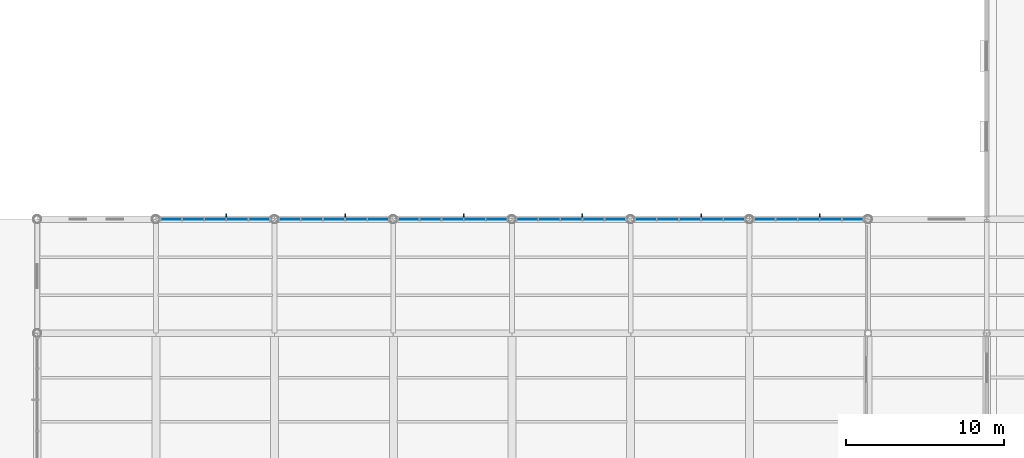
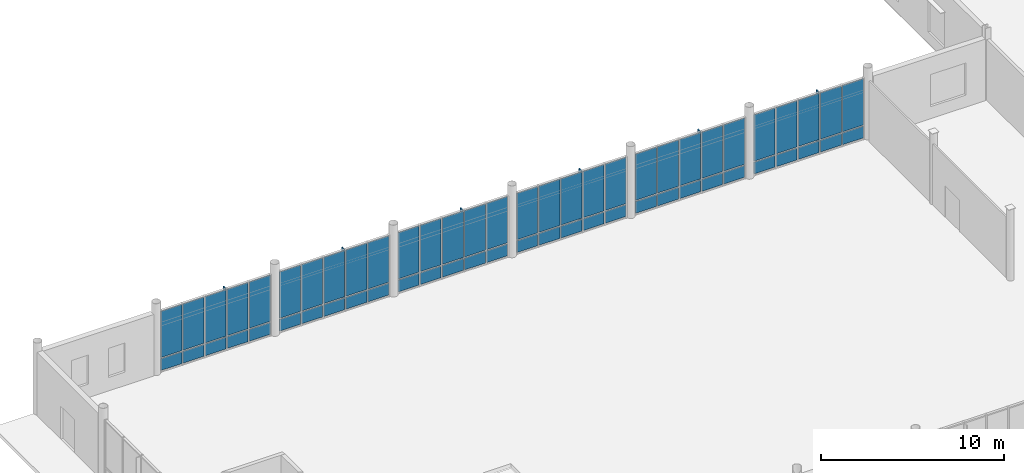
# One storey, part 40 of 82: 66 plates, 6 elements without a shape of their own.
"""IFC4 building model written with IfcOpenShell, lengths in metres."""

from ifc_helpers import new_model, si_unit, direction, frame, origin, origin_2d, place, context, subcontext, project, spatial, rectangle, extrude, material, layer, layer_set, type_object, element, aggregate, save


model = new_model("IFC4")

# Units and contexts
model_context = context("Model", 3, precision=1e-05, world=origin(), true_north=direction((0.0, 1.0)))
body_context = subcontext(model_context, "Body", "Model", "MODEL_VIEW")
ifc_project = project(units=[si_unit("LENGTHUNIT", "METRE"), si_unit("AREAUNIT", "SQUARE_METRE"), si_unit("VOLUMEUNIT", "CUBIC_METRE"), si_unit("PLANEANGLEUNIT", "RADIAN"), si_unit("MASSUNIT", "GRAM", prefix="KILO")], contexts=[model_context])

# Site, building, storey
site_placement = place(None, origin())
site = spatial("IfcSite", under=ifc_project, at=site_placement, CompositionType="ELEMENT")
building_placement = place(site_placement, origin())
building = spatial("IfcBuilding", under=site, at=building_placement, Name="Yukiwa Park Conservatory and Herbarium", CompositionType="ELEMENT")
storey_placement = place(building_placement, origin())
storey = spatial("IfcBuildingStorey", under=building, at=storey_placement, Name="L00", CompositionType="ELEMENT", Elevation=0.0)

# Curtain wall, plates
ifc_material_1 = material(Name="Triple Low-E Insulated Glass", Category="glass")
ifc_layer_1 = layer(ifc_material_1, 0.152099609375)
ifc_layer_set_1 = layer_set([ifc_layer_1], Name="Triple Low-E Insulated Glass")
curtain_wall_type = type_object("IfcCurtainWallType", Name="CW-CONSERVATORY-1500", PredefinedType="NOTDEFINED", material=ifc_layer_set_1)
curtain_wall_1_placement = place(storey_placement, origin())
curtain_wall_1 = element("IfcCurtainWall", 1, at=curtain_wall_1_placement, inside=storey, type_object=curtain_wall_type, Name="L00 unitised curtain wall CW-L00-018", PredefinedType="NOTDEFINED")
ifc_material_2 = material(Name="Triple Low-E Insulated Glass", Category="glass")
ifc_layer_2 = layer(ifc_material_2, 0.035888671875)
ifc_layer_set_2 = layer_set([ifc_layer_2], Name="Triple Low-E Insulated Glass")
plate_type_1 = type_object("IfcPlateType", Name="PL-CW-GLZ-36", PredefinedType="CURTAIN_PANEL", material=ifc_layer_set_2)
plate_1_placement = place(storey_placement, frame((51.546875, 31.199951171875, 0.93994140625), z_axis=(0.0, 0.0, 1.0), x_axis=(-1.0, 0.0, 0.0)))
plate_1 = element("IfcPlate", 2, at=plate_1_placement, type_object=plate_type_1, Name="CW-L00-018 vision panel 1.2", PredefinedType="CURTAIN_PANEL", context=body_context, shape_type="SweptSolid", body=[
    extrude(rectangle(XDim=1.318359375, YDim=0.035888671875, at=origin_2d()), origin(), (0.0, 0.0, 1.0), 3.090087890625),
])
plate_2_placement = place(storey_placement, frame((50.1484375, 31.199951171875, 0.93994140625), z_axis=(0.0, 0.0, 1.0), x_axis=(-1.0, 0.0, 0.0)))
plate_2 = element("IfcPlate", 3, at=plate_2_placement, type_object=plate_type_1, Name="CW-L00-018 vision panel 2.2", PredefinedType="CURTAIN_PANEL", context=body_context, shape_type="SweptSolid", body=[
    extrude(rectangle(XDim=1.318359375, YDim=0.035888671875, at=origin_2d()), origin(), (0.0, 0.0, 1.0), 3.090087890625),
])
plate_3_placement = place(storey_placement, frame((48.75, 31.199951171875, 0.93994140625), z_axis=(0.0, 0.0, 1.0), x_axis=(-1.0, 0.0, 0.0)))
plate_3 = element("IfcPlate", 4, at=plate_3_placement, type_object=plate_type_1, Name="CW-L00-018 vision panel 3.2", PredefinedType="CURTAIN_PANEL", context=body_context, shape_type="SweptSolid", body=[
    extrude(rectangle(XDim=1.318359375, YDim=0.035888671875, at=origin_2d()), origin(), (0.0, 0.0, 1.0), 3.090087890625),
])
plate_4_placement = place(storey_placement, frame((47.3515625, 31.199951171875, 0.93994140625), z_axis=(0.0, 0.0, 1.0), x_axis=(-1.0, 0.0, 0.0)))
plate_4 = element("IfcPlate", 5, at=plate_4_placement, type_object=plate_type_1, Name="CW-L00-018 vision panel 4.2", PredefinedType="CURTAIN_PANEL", context=body_context, shape_type="SweptSolid", body=[
    extrude(rectangle(XDim=1.318359375, YDim=0.035888671875, at=origin_2d()), origin(), (0.0, 0.0, 1.0), 3.090087890625),
])
plate_5_placement = place(storey_placement, frame((45.953125, 31.199951171875, 0.93994140625), z_axis=(0.0, 0.0, 1.0), x_axis=(-1.0, 0.0, 0.0)))
plate_5 = element("IfcPlate", 6, at=plate_5_placement, type_object=plate_type_1, Name="CW-L00-018 vision panel 5.2", PredefinedType="CURTAIN_PANEL", context=body_context, shape_type="SweptSolid", body=[
    extrude(rectangle(XDim=1.318359375, YDim=0.035888671875, at=origin_2d()), origin(), (0.0, 0.0, 1.0), 3.090087890625),
])

curtain_wall_2_placement = place(storey_placement, origin())
curtain_wall_2 = element("IfcCurtainWall", 7, at=curtain_wall_2_placement, inside=storey, type_object=curtain_wall_type, Name="L00 unitised curtain wall CW-L00-019", PredefinedType="NOTDEFINED")
plate_6_placement = place(storey_placement, frame((44.046875, 31.199951171875, 0.93994140625), z_axis=(0.0, 0.0, 1.0), x_axis=(-1.0, 0.0, 0.0)))
plate_6 = element("IfcPlate", 8, at=plate_6_placement, type_object=plate_type_1, Name="CW-L00-019 vision panel 1.2", PredefinedType="CURTAIN_PANEL", context=body_context, shape_type="SweptSolid", body=[
    extrude(rectangle(XDim=1.318359375, YDim=0.035888671875, at=origin_2d()), origin(), (0.0, 0.0, 1.0), 3.090087890625),
])
plate_7_placement = place(storey_placement, frame((42.6484375, 31.199951171875, 0.93994140625), z_axis=(0.0, 0.0, 1.0), x_axis=(-1.0, 0.0, 0.0)))
plate_7 = element("IfcPlate", 9, at=plate_7_placement, type_object=plate_type_1, Name="CW-L00-019 vision panel 2.2", PredefinedType="CURTAIN_PANEL", context=body_context, shape_type="SweptSolid", body=[
    extrude(rectangle(XDim=1.318359375, YDim=0.035888671875, at=origin_2d()), origin(), (0.0, 0.0, 1.0), 3.090087890625),
])
plate_8_placement = place(storey_placement, frame((41.25, 31.199951171875, 0.93994140625), z_axis=(0.0, 0.0, 1.0), x_axis=(-1.0, 0.0, 0.0)))
plate_8 = element("IfcPlate", 10, at=plate_8_placement, type_object=plate_type_1, Name="CW-L00-019 vision panel 3.2", PredefinedType="CURTAIN_PANEL", context=body_context, shape_type="SweptSolid", body=[
    extrude(rectangle(XDim=1.318359375, YDim=0.035888671875, at=origin_2d()), origin(), (0.0, 0.0, 1.0), 3.090087890625),
])
plate_9_placement = place(storey_placement, frame((39.8515625, 31.199951171875, 0.93994140625), z_axis=(0.0, 0.0, 1.0), x_axis=(-1.0, 0.0, 0.0)))
plate_9 = element("IfcPlate", 11, at=plate_9_placement, type_object=plate_type_1, Name="CW-L00-019 vision panel 4.2", PredefinedType="CURTAIN_PANEL", context=body_context, shape_type="SweptSolid", body=[
    extrude(rectangle(XDim=1.318359375, YDim=0.035888671875, at=origin_2d()), origin(), (0.0, 0.0, 1.0), 3.090087890625),
])
plate_10_placement = place(storey_placement, frame((38.453125, 31.199951171875, 0.93994140625), z_axis=(0.0, 0.0, 1.0), x_axis=(-1.0, 0.0, 0.0)))
plate_10 = element("IfcPlate", 12, at=plate_10_placement, type_object=plate_type_1, Name="CW-L00-019 vision panel 5.2", PredefinedType="CURTAIN_PANEL", context=body_context, shape_type="SweptSolid", body=[
    extrude(rectangle(XDim=1.318359375, YDim=0.035888671875, at=origin_2d()), origin(), (0.0, 0.0, 1.0), 3.090087890625),
])

curtain_wall_3_placement = place(storey_placement, origin())
curtain_wall_3 = element("IfcCurtainWall", 13, at=curtain_wall_3_placement, inside=storey, type_object=curtain_wall_type, Name="L00 unitised curtain wall CW-L00-020", PredefinedType="NOTDEFINED")
plate_11_placement = place(storey_placement, frame((36.546875, 31.199951171875, 0.93994140625), z_axis=(0.0, 0.0, 1.0), x_axis=(-1.0, 0.0, 0.0)))
plate_11 = element("IfcPlate", 14, at=plate_11_placement, type_object=plate_type_1, Name="CW-L00-020 vision panel 1.2", PredefinedType="CURTAIN_PANEL", context=body_context, shape_type="SweptSolid", body=[
    extrude(rectangle(XDim=1.318359375, YDim=0.035888671875, at=origin_2d()), origin(), (0.0, 0.0, 1.0), 3.090087890625),
])
plate_12_placement = place(storey_placement, frame((35.1484375, 31.199951171875, 0.93994140625), z_axis=(0.0, 0.0, 1.0), x_axis=(-1.0, 0.0, 0.0)))
plate_12 = element("IfcPlate", 15, at=plate_12_placement, type_object=plate_type_1, Name="CW-L00-020 vision panel 2.2", PredefinedType="CURTAIN_PANEL", context=body_context, shape_type="SweptSolid", body=[
    extrude(rectangle(XDim=1.318359375, YDim=0.035888671875, at=origin_2d()), origin(), (0.0, 0.0, 1.0), 3.090087890625),
])
plate_13_placement = place(storey_placement, frame((33.75, 31.199951171875, 0.93994140625), z_axis=(0.0, 0.0, 1.0), x_axis=(-1.0, 0.0, 0.0)))
plate_13 = element("IfcPlate", 16, at=plate_13_placement, type_object=plate_type_1, Name="CW-L00-020 vision panel 3.2", PredefinedType="CURTAIN_PANEL", context=body_context, shape_type="SweptSolid", body=[
    extrude(rectangle(XDim=1.318359375, YDim=0.035888671875, at=origin_2d()), origin(), (0.0, 0.0, 1.0), 3.090087890625),
])
plate_14_placement = place(storey_placement, frame((32.3515625, 31.199951171875, 0.93994140625), z_axis=(0.0, 0.0, 1.0), x_axis=(-1.0, 0.0, 0.0)))
plate_14 = element("IfcPlate", 17, at=plate_14_placement, type_object=plate_type_1, Name="CW-L00-020 vision panel 4.2", PredefinedType="CURTAIN_PANEL", context=body_context, shape_type="SweptSolid", body=[
    extrude(rectangle(XDim=1.318359375, YDim=0.035888671875, at=origin_2d()), origin(), (0.0, 0.0, 1.0), 3.090087890625),
])
plate_15_placement = place(storey_placement, frame((30.953125, 31.199951171875, 0.93994140625), z_axis=(0.0, 0.0, 1.0), x_axis=(-1.0, 0.0, 0.0)))
plate_15 = element("IfcPlate", 18, at=plate_15_placement, type_object=plate_type_1, Name="CW-L00-020 vision panel 5.2", PredefinedType="CURTAIN_PANEL", context=body_context, shape_type="SweptSolid", body=[
    extrude(rectangle(XDim=1.318359375, YDim=0.035888671875, at=origin_2d()), origin(), (0.0, 0.0, 1.0), 3.090087890625),
])

curtain_wall_4_placement = place(storey_placement, origin())
curtain_wall_4 = element("IfcCurtainWall", 19, at=curtain_wall_4_placement, inside=storey, type_object=curtain_wall_type, Name="L00 unitised curtain wall CW-L00-021", PredefinedType="NOTDEFINED")
plate_16_placement = place(storey_placement, frame((29.046875, 31.199951171875, 0.93994140625), z_axis=(0.0, 0.0, 1.0), x_axis=(-1.0, 0.0, 0.0)))
plate_16 = element("IfcPlate", 20, at=plate_16_placement, type_object=plate_type_1, Name="CW-L00-021 vision panel 1.2", PredefinedType="CURTAIN_PANEL", context=body_context, shape_type="SweptSolid", body=[
    extrude(rectangle(XDim=1.318359375, YDim=0.035888671875, at=origin_2d()), origin(), (0.0, 0.0, 1.0), 3.090087890625),
])
plate_17_placement = place(storey_placement, frame((27.6484375, 31.199951171875, 0.93994140625), z_axis=(0.0, 0.0, 1.0), x_axis=(-1.0, 0.0, 0.0)))
plate_17 = element("IfcPlate", 21, at=plate_17_placement, type_object=plate_type_1, Name="CW-L00-021 vision panel 2.2", PredefinedType="CURTAIN_PANEL", context=body_context, shape_type="SweptSolid", body=[
    extrude(rectangle(XDim=1.318359375, YDim=0.035888671875, at=origin_2d()), origin(), (0.0, 0.0, 1.0), 3.090087890625),
])
plate_18_placement = place(storey_placement, frame((26.25, 31.199951171875, 0.93994140625), z_axis=(0.0, 0.0, 1.0), x_axis=(-1.0, 0.0, 0.0)))
plate_18 = element("IfcPlate", 22, at=plate_18_placement, type_object=plate_type_1, Name="CW-L00-021 vision panel 3.2", PredefinedType="CURTAIN_PANEL", context=body_context, shape_type="SweptSolid", body=[
    extrude(rectangle(XDim=1.318359375, YDim=0.035888671875, at=origin_2d()), origin(), (0.0, 0.0, 1.0), 3.090087890625),
])
plate_19_placement = place(storey_placement, frame((24.8515625, 31.199951171875, 0.93994140625), z_axis=(0.0, 0.0, 1.0), x_axis=(-1.0, 0.0, 0.0)))
plate_19 = element("IfcPlate", 23, at=plate_19_placement, type_object=plate_type_1, Name="CW-L00-021 vision panel 4.2", PredefinedType="CURTAIN_PANEL", context=body_context, shape_type="SweptSolid", body=[
    extrude(rectangle(XDim=1.318359375, YDim=0.035888671875, at=origin_2d()), origin(), (0.0, 0.0, 1.0), 3.090087890625),
])
plate_20_placement = place(storey_placement, frame((23.453125, 31.199951171875, 0.93994140625), z_axis=(0.0, 0.0, 1.0), x_axis=(-1.0, 0.0, 0.0)))
plate_20 = element("IfcPlate", 24, at=plate_20_placement, type_object=plate_type_1, Name="CW-L00-021 vision panel 5.2", PredefinedType="CURTAIN_PANEL", context=body_context, shape_type="SweptSolid", body=[
    extrude(rectangle(XDim=1.318359375, YDim=0.035888671875, at=origin_2d()), origin(), (0.0, 0.0, 1.0), 3.090087890625),
])

curtain_wall_5_placement = place(storey_placement, origin())
curtain_wall_5 = element("IfcCurtainWall", 25, at=curtain_wall_5_placement, inside=storey, type_object=curtain_wall_type, Name="L00 unitised curtain wall CW-L00-022", PredefinedType="NOTDEFINED")
plate_21_placement = place(storey_placement, frame((21.546875, 31.199951171875, 0.93994140625), z_axis=(0.0, 0.0, 1.0), x_axis=(-1.0, 0.0, 0.0)))
plate_21 = element("IfcPlate", 26, at=plate_21_placement, type_object=plate_type_1, Name="CW-L00-022 vision panel 1.2", PredefinedType="CURTAIN_PANEL", context=body_context, shape_type="SweptSolid", body=[
    extrude(rectangle(XDim=1.318359375, YDim=0.035888671875, at=origin_2d()), origin(), (0.0, 0.0, 1.0), 3.090087890625),
])
plate_22_placement = place(storey_placement, frame((20.1484375, 31.199951171875, 0.93994140625), z_axis=(0.0, 0.0, 1.0), x_axis=(-1.0, 0.0, 0.0)))
plate_22 = element("IfcPlate", 27, at=plate_22_placement, type_object=plate_type_1, Name="CW-L00-022 vision panel 2.2", PredefinedType="CURTAIN_PANEL", context=body_context, shape_type="SweptSolid", body=[
    extrude(rectangle(XDim=1.318359375, YDim=0.035888671875, at=origin_2d()), origin(), (0.0, 0.0, 1.0), 3.090087890625),
])
plate_23_placement = place(storey_placement, frame((18.75, 31.199951171875, 0.93994140625), z_axis=(0.0, 0.0, 1.0), x_axis=(-1.0, 0.0, 0.0)))
plate_23 = element("IfcPlate", 28, at=plate_23_placement, type_object=plate_type_1, Name="CW-L00-022 vision panel 3.2", PredefinedType="CURTAIN_PANEL", context=body_context, shape_type="SweptSolid", body=[
    extrude(rectangle(XDim=1.318359375, YDim=0.035888671875, at=origin_2d()), origin(), (0.0, 0.0, 1.0), 3.090087890625),
])
plate_24_placement = place(storey_placement, frame((17.3515625, 31.199951171875, 0.93994140625), z_axis=(0.0, 0.0, 1.0), x_axis=(-1.0, 0.0, 0.0)))
plate_24 = element("IfcPlate", 29, at=plate_24_placement, type_object=plate_type_1, Name="CW-L00-022 vision panel 4.2", PredefinedType="CURTAIN_PANEL", context=body_context, shape_type="SweptSolid", body=[
    extrude(rectangle(XDim=1.318359375, YDim=0.035888671875, at=origin_2d()), origin(), (0.0, 0.0, 1.0), 3.090087890625),
])
plate_25_placement = place(storey_placement, frame((15.953125, 31.199951171875, 0.93994140625), z_axis=(0.0, 0.0, 1.0), x_axis=(-1.0, 0.0, 0.0)))
plate_25 = element("IfcPlate", 30, at=plate_25_placement, type_object=plate_type_1, Name="CW-L00-022 vision panel 5.2", PredefinedType="CURTAIN_PANEL", context=body_context, shape_type="SweptSolid", body=[
    extrude(rectangle(XDim=1.318359375, YDim=0.035888671875, at=origin_2d()), origin(), (0.0, 0.0, 1.0), 3.090087890625),
])

curtain_wall_6_placement = place(storey_placement, origin())
curtain_wall_6 = element("IfcCurtainWall", 31, at=curtain_wall_6_placement, inside=storey, type_object=curtain_wall_type, Name="L00 unitised curtain wall CW-L00-023", PredefinedType="NOTDEFINED")
plate_26_placement = place(storey_placement, frame((14.046875, 31.199951171875, 0.93994140625), z_axis=(0.0, 0.0, 1.0), x_axis=(-1.0, 0.0, 0.0)))
plate_26 = element("IfcPlate", 32, at=plate_26_placement, type_object=plate_type_1, Name="CW-L00-023 vision panel 1.2", PredefinedType="CURTAIN_PANEL", context=body_context, shape_type="SweptSolid", body=[
    extrude(rectangle(XDim=1.318359375, YDim=0.035888671875, at=origin_2d()), origin(), (0.0, 0.0, 1.0), 3.090087890625),
])
plate_27_placement = place(storey_placement, frame((12.6484375, 31.199951171875, 0.93994140625), z_axis=(0.0, 0.0, 1.0), x_axis=(-1.0, 0.0, 0.0)))
plate_27 = element("IfcPlate", 33, at=plate_27_placement, type_object=plate_type_1, Name="CW-L00-023 vision panel 2.2", PredefinedType="CURTAIN_PANEL", context=body_context, shape_type="SweptSolid", body=[
    extrude(rectangle(XDim=1.318359375, YDim=0.035888671875, at=origin_2d()), origin(), (0.0, 0.0, 1.0), 3.090087890625),
])
plate_28_placement = place(storey_placement, frame((11.25, 31.199951171875, 0.93994140625), z_axis=(0.0, 0.0, 1.0), x_axis=(-1.0, 0.0, 0.0)))
plate_28 = element("IfcPlate", 34, at=plate_28_placement, type_object=plate_type_1, Name="CW-L00-023 vision panel 3.2", PredefinedType="CURTAIN_PANEL", context=body_context, shape_type="SweptSolid", body=[
    extrude(rectangle(XDim=1.318359375, YDim=0.035888671875, at=origin_2d()), origin(), (0.0, 0.0, 1.0), 3.090087890625),
])
plate_29_placement = place(storey_placement, frame((9.8515625, 31.199951171875, 0.93994140625), z_axis=(0.0, 0.0, 1.0), x_axis=(-1.0, 0.0, 0.0)))
plate_29 = element("IfcPlate", 35, at=plate_29_placement, type_object=plate_type_1, Name="CW-L00-023 vision panel 4.2", PredefinedType="CURTAIN_PANEL", context=body_context, shape_type="SweptSolid", body=[
    extrude(rectangle(XDim=1.318359375, YDim=0.035888671875, at=origin_2d()), origin(), (0.0, 0.0, 1.0), 3.090087890625),
])
plate_30_placement = place(storey_placement, frame((8.453125, 31.199951171875, 0.93994140625), z_axis=(0.0, 0.0, 1.0), x_axis=(-1.0, 0.0, 0.0)))
plate_30 = element("IfcPlate", 36, at=plate_30_placement, type_object=plate_type_1, Name="CW-L00-023 vision panel 5.2", PredefinedType="CURTAIN_PANEL", context=body_context, shape_type="SweptSolid", body=[
    extrude(rectangle(XDim=1.318359375, YDim=0.035888671875, at=origin_2d()), origin(), (0.0, 0.0, 1.0), 3.090087890625),
])

# Plate
ifc_material_3 = material(Name="Anodised Aluminium", Category="aluminium")
ifc_layer_3 = layer(ifc_material_3, 0.044921875)
ifc_layer_set_3 = layer_set([ifc_layer_3], Name="Anodised Aluminium")
plate_type_2 = type_object("IfcPlateType", Name="PL-CW-SPN-45", PredefinedType="CURTAIN_PANEL", material=ifc_layer_set_3)
plate_31_placement = place(storey_placement, frame((51.546875, 31.199951171875, 0.080078125), z_axis=(0.0, 0.0, 1.0), x_axis=(-1.0, 0.0, 0.0)))
plate_31 = element("IfcPlate", 37, at=plate_31_placement, type_object=plate_type_2, Name="CW-L00-018 spandrel panel 1.1", PredefinedType="CURTAIN_PANEL", context=body_context, shape_type="SweptSolid", body=[
    extrude(rectangle(XDim=1.318359375, YDim=0.044921875, at=origin_2d()), origin(), (0.0, 0.0, 1.0), 0.780029296875),
])

plate_32_placement = place(storey_placement, frame((50.1484375, 31.199951171875, 0.080078125), z_axis=(0.0, 0.0, 1.0), x_axis=(-1.0, 0.0, 0.0)))
plate_32 = element("IfcPlate", 38, at=plate_32_placement, type_object=plate_type_2, Name="CW-L00-018 spandrel panel 2.1", PredefinedType="CURTAIN_PANEL", context=body_context, shape_type="SweptSolid", body=[
    extrude(rectangle(XDim=1.318359375, YDim=0.044921875, at=origin_2d()), origin(), (0.0, 0.0, 1.0), 0.780029296875),
])

plate_33_placement = place(storey_placement, frame((48.75, 31.199951171875, 0.080078125), z_axis=(0.0, 0.0, 1.0), x_axis=(-1.0, 0.0, 0.0)))
plate_33 = element("IfcPlate", 39, at=plate_33_placement, type_object=plate_type_2, Name="CW-L00-018 spandrel panel 3.1", PredefinedType="CURTAIN_PANEL", context=body_context, shape_type="SweptSolid", body=[
    extrude(rectangle(XDim=1.318359375, YDim=0.044921875, at=origin_2d()), origin(), (0.0, 0.0, 1.0), 0.780029296875),
])

plate_34_placement = place(storey_placement, frame((47.3515625, 31.199951171875, 0.080078125), z_axis=(0.0, 0.0, 1.0), x_axis=(-1.0, 0.0, 0.0)))
plate_34 = element("IfcPlate", 40, at=plate_34_placement, type_object=plate_type_2, Name="CW-L00-018 spandrel panel 4.1", PredefinedType="CURTAIN_PANEL", context=body_context, shape_type="SweptSolid", body=[
    extrude(rectangle(XDim=1.318359375, YDim=0.044921875, at=origin_2d()), origin(), (0.0, 0.0, 1.0), 0.780029296875),
])

plate_35_placement = place(storey_placement, frame((45.953125, 31.199951171875, 0.080078125), z_axis=(0.0, 0.0, 1.0), x_axis=(-1.0, 0.0, 0.0)))
plate_35 = element("IfcPlate", 41, at=plate_35_placement, type_object=plate_type_2, Name="CW-L00-018 spandrel panel 5.1", PredefinedType="CURTAIN_PANEL", context=body_context, shape_type="SweptSolid", body=[
    extrude(rectangle(XDim=1.318359375, YDim=0.044921875, at=origin_2d()), origin(), (0.0, 0.0, 1.0), 0.780029296875),
])

aggregate(curtain_wall_1, [plate_31, plate_1, plate_32, plate_2, plate_33, plate_3, plate_34, plate_4, plate_35, plate_5])

plate_36_placement = place(storey_placement, frame((44.046875, 31.199951171875, 0.080078125), z_axis=(0.0, 0.0, 1.0), x_axis=(-1.0, 0.0, 0.0)))
plate_36 = element("IfcPlate", 42, at=plate_36_placement, type_object=plate_type_2, Name="CW-L00-019 spandrel panel 1.1", PredefinedType="CURTAIN_PANEL", context=body_context, shape_type="SweptSolid", body=[
    extrude(rectangle(XDim=1.318359375, YDim=0.044921875, at=origin_2d()), origin(), (0.0, 0.0, 1.0), 0.780029296875),
])

plate_37_placement = place(storey_placement, frame((42.6484375, 31.199951171875, 0.080078125), z_axis=(0.0, 0.0, 1.0), x_axis=(-1.0, 0.0, 0.0)))
plate_37 = element("IfcPlate", 43, at=plate_37_placement, type_object=plate_type_2, Name="CW-L00-019 spandrel panel 2.1", PredefinedType="CURTAIN_PANEL", context=body_context, shape_type="SweptSolid", body=[
    extrude(rectangle(XDim=1.318359375, YDim=0.044921875, at=origin_2d()), origin(), (0.0, 0.0, 1.0), 0.780029296875),
])

plate_38_placement = place(storey_placement, frame((41.25, 31.199951171875, 0.080078125), z_axis=(0.0, 0.0, 1.0), x_axis=(-1.0, 0.0, 0.0)))
plate_38 = element("IfcPlate", 44, at=plate_38_placement, type_object=plate_type_2, Name="CW-L00-019 spandrel panel 3.1", PredefinedType="CURTAIN_PANEL", context=body_context, shape_type="SweptSolid", body=[
    extrude(rectangle(XDim=1.318359375, YDim=0.044921875, at=origin_2d()), origin(), (0.0, 0.0, 1.0), 0.780029296875),
])

plate_39_placement = place(storey_placement, frame((39.8515625, 31.199951171875, 0.080078125), z_axis=(0.0, 0.0, 1.0), x_axis=(-1.0, 0.0, 0.0)))
plate_39 = element("IfcPlate", 45, at=plate_39_placement, type_object=plate_type_2, Name="CW-L00-019 spandrel panel 4.1", PredefinedType="CURTAIN_PANEL", context=body_context, shape_type="SweptSolid", body=[
    extrude(rectangle(XDim=1.318359375, YDim=0.044921875, at=origin_2d()), origin(), (0.0, 0.0, 1.0), 0.780029296875),
])

plate_40_placement = place(storey_placement, frame((38.453125, 31.199951171875, 0.080078125), z_axis=(0.0, 0.0, 1.0), x_axis=(-1.0, 0.0, 0.0)))
plate_40 = element("IfcPlate", 46, at=plate_40_placement, type_object=plate_type_2, Name="CW-L00-019 spandrel panel 5.1", PredefinedType="CURTAIN_PANEL", context=body_context, shape_type="SweptSolid", body=[
    extrude(rectangle(XDim=1.318359375, YDim=0.044921875, at=origin_2d()), origin(), (0.0, 0.0, 1.0), 0.780029296875),
])

aggregate(curtain_wall_2, [plate_36, plate_6, plate_37, plate_7, plate_38, plate_8, plate_39, plate_9, plate_40, plate_10])

plate_41_placement = place(storey_placement, frame((36.546875, 31.199951171875, 0.080078125), z_axis=(0.0, 0.0, 1.0), x_axis=(-1.0, 0.0, 0.0)))
plate_41 = element("IfcPlate", 47, at=plate_41_placement, type_object=plate_type_2, Name="CW-L00-020 spandrel panel 1.1", PredefinedType="CURTAIN_PANEL", context=body_context, shape_type="SweptSolid", body=[
    extrude(rectangle(XDim=1.318359375, YDim=0.044921875, at=origin_2d()), origin(), (0.0, 0.0, 1.0), 0.780029296875),
])

plate_42_placement = place(storey_placement, frame((35.1484375, 31.199951171875, 0.080078125), z_axis=(0.0, 0.0, 1.0), x_axis=(-1.0, 0.0, 0.0)))
plate_42 = element("IfcPlate", 48, at=plate_42_placement, type_object=plate_type_2, Name="CW-L00-020 spandrel panel 2.1", PredefinedType="CURTAIN_PANEL", context=body_context, shape_type="SweptSolid", body=[
    extrude(rectangle(XDim=1.318359375, YDim=0.044921875, at=origin_2d()), origin(), (0.0, 0.0, 1.0), 0.780029296875),
])

plate_43_placement = place(storey_placement, frame((33.75, 31.199951171875, 0.080078125), z_axis=(0.0, 0.0, 1.0), x_axis=(-1.0, 0.0, 0.0)))
plate_43 = element("IfcPlate", 49, at=plate_43_placement, type_object=plate_type_2, Name="CW-L00-020 spandrel panel 3.1", PredefinedType="CURTAIN_PANEL", context=body_context, shape_type="SweptSolid", body=[
    extrude(rectangle(XDim=1.318359375, YDim=0.044921875, at=origin_2d()), origin(), (0.0, 0.0, 1.0), 0.780029296875),
])

plate_44_placement = place(storey_placement, frame((32.3515625, 31.199951171875, 0.080078125), z_axis=(0.0, 0.0, 1.0), x_axis=(-1.0, 0.0, 0.0)))
plate_44 = element("IfcPlate", 50, at=plate_44_placement, type_object=plate_type_2, Name="CW-L00-020 spandrel panel 4.1", PredefinedType="CURTAIN_PANEL", context=body_context, shape_type="SweptSolid", body=[
    extrude(rectangle(XDim=1.318359375, YDim=0.044921875, at=origin_2d()), origin(), (0.0, 0.0, 1.0), 0.780029296875),
])

plate_45_placement = place(storey_placement, frame((30.953125, 31.199951171875, 0.080078125), z_axis=(0.0, 0.0, 1.0), x_axis=(-1.0, 0.0, 0.0)))
plate_45 = element("IfcPlate", 51, at=plate_45_placement, type_object=plate_type_2, Name="CW-L00-020 spandrel panel 5.1", PredefinedType="CURTAIN_PANEL", context=body_context, shape_type="SweptSolid", body=[
    extrude(rectangle(XDim=1.318359375, YDim=0.044921875, at=origin_2d()), origin(), (0.0, 0.0, 1.0), 0.780029296875),
])

aggregate(curtain_wall_3, [plate_41, plate_11, plate_42, plate_12, plate_43, plate_13, plate_44, plate_14, plate_45, plate_15])

plate_46_placement = place(storey_placement, frame((29.046875, 31.199951171875, 0.080078125), z_axis=(0.0, 0.0, 1.0), x_axis=(-1.0, 0.0, 0.0)))
plate_46 = element("IfcPlate", 52, at=plate_46_placement, type_object=plate_type_2, Name="CW-L00-021 spandrel panel 1.1", PredefinedType="CURTAIN_PANEL", context=body_context, shape_type="SweptSolid", body=[
    extrude(rectangle(XDim=1.318359375, YDim=0.044921875, at=origin_2d()), origin(), (0.0, 0.0, 1.0), 0.780029296875),
])

plate_47_placement = place(storey_placement, frame((27.6484375, 31.199951171875, 0.080078125), z_axis=(0.0, 0.0, 1.0), x_axis=(-1.0, 0.0, 0.0)))
plate_47 = element("IfcPlate", 53, at=plate_47_placement, type_object=plate_type_2, Name="CW-L00-021 spandrel panel 2.1", PredefinedType="CURTAIN_PANEL", context=body_context, shape_type="SweptSolid", body=[
    extrude(rectangle(XDim=1.318359375, YDim=0.044921875, at=origin_2d()), origin(), (0.0, 0.0, 1.0), 0.780029296875),
])

plate_48_placement = place(storey_placement, frame((26.25, 31.199951171875, 0.080078125), z_axis=(0.0, 0.0, 1.0), x_axis=(-1.0, 0.0, 0.0)))
plate_48 = element("IfcPlate", 54, at=plate_48_placement, type_object=plate_type_2, Name="CW-L00-021 spandrel panel 3.1", PredefinedType="CURTAIN_PANEL", context=body_context, shape_type="SweptSolid", body=[
    extrude(rectangle(XDim=1.318359375, YDim=0.044921875, at=origin_2d()), origin(), (0.0, 0.0, 1.0), 0.780029296875),
])

plate_49_placement = place(storey_placement, frame((24.8515625, 31.199951171875, 0.080078125), z_axis=(0.0, 0.0, 1.0), x_axis=(-1.0, 0.0, 0.0)))
plate_49 = element("IfcPlate", 55, at=plate_49_placement, type_object=plate_type_2, Name="CW-L00-021 spandrel panel 4.1", PredefinedType="CURTAIN_PANEL", context=body_context, shape_type="SweptSolid", body=[
    extrude(rectangle(XDim=1.318359375, YDim=0.044921875, at=origin_2d()), origin(), (0.0, 0.0, 1.0), 0.780029296875),
])

plate_50_placement = place(storey_placement, frame((23.453125, 31.199951171875, 0.080078125), z_axis=(0.0, 0.0, 1.0), x_axis=(-1.0, 0.0, 0.0)))
plate_50 = element("IfcPlate", 56, at=plate_50_placement, type_object=plate_type_2, Name="CW-L00-021 spandrel panel 5.1", PredefinedType="CURTAIN_PANEL", context=body_context, shape_type="SweptSolid", body=[
    extrude(rectangle(XDim=1.318359375, YDim=0.044921875, at=origin_2d()), origin(), (0.0, 0.0, 1.0), 0.780029296875),
])

aggregate(curtain_wall_4, [plate_46, plate_16, plate_47, plate_17, plate_48, plate_18, plate_49, plate_19, plate_50, plate_20])

plate_51_placement = place(storey_placement, frame((21.546875, 31.199951171875, 0.080078125), z_axis=(0.0, 0.0, 1.0), x_axis=(-1.0, 0.0, 0.0)))
plate_51 = element("IfcPlate", 57, at=plate_51_placement, type_object=plate_type_2, Name="CW-L00-022 spandrel panel 1.1", PredefinedType="CURTAIN_PANEL", context=body_context, shape_type="SweptSolid", body=[
    extrude(rectangle(XDim=1.318359375, YDim=0.044921875, at=origin_2d()), origin(), (0.0, 0.0, 1.0), 0.780029296875),
])

plate_52_placement = place(storey_placement, frame((20.1484375, 31.199951171875, 0.080078125), z_axis=(0.0, 0.0, 1.0), x_axis=(-1.0, 0.0, 0.0)))
plate_52 = element("IfcPlate", 58, at=plate_52_placement, type_object=plate_type_2, Name="CW-L00-022 spandrel panel 2.1", PredefinedType="CURTAIN_PANEL", context=body_context, shape_type="SweptSolid", body=[
    extrude(rectangle(XDim=1.318359375, YDim=0.044921875, at=origin_2d()), origin(), (0.0, 0.0, 1.0), 0.780029296875),
])

plate_53_placement = place(storey_placement, frame((18.75, 31.199951171875, 0.080078125), z_axis=(0.0, 0.0, 1.0), x_axis=(-1.0, 0.0, 0.0)))
plate_53 = element("IfcPlate", 59, at=plate_53_placement, type_object=plate_type_2, Name="CW-L00-022 spandrel panel 3.1", PredefinedType="CURTAIN_PANEL", context=body_context, shape_type="SweptSolid", body=[
    extrude(rectangle(XDim=1.318359375, YDim=0.044921875, at=origin_2d()), origin(), (0.0, 0.0, 1.0), 0.780029296875),
])

plate_54_placement = place(storey_placement, frame((17.3515625, 31.199951171875, 0.080078125), z_axis=(0.0, 0.0, 1.0), x_axis=(-1.0, 0.0, 0.0)))
plate_54 = element("IfcPlate", 60, at=plate_54_placement, type_object=plate_type_2, Name="CW-L00-022 spandrel panel 4.1", PredefinedType="CURTAIN_PANEL", context=body_context, shape_type="SweptSolid", body=[
    extrude(rectangle(XDim=1.318359375, YDim=0.044921875, at=origin_2d()), origin(), (0.0, 0.0, 1.0), 0.780029296875),
])

plate_55_placement = place(storey_placement, frame((15.953125, 31.199951171875, 0.080078125), z_axis=(0.0, 0.0, 1.0), x_axis=(-1.0, 0.0, 0.0)))
plate_55 = element("IfcPlate", 61, at=plate_55_placement, type_object=plate_type_2, Name="CW-L00-022 spandrel panel 5.1", PredefinedType="CURTAIN_PANEL", context=body_context, shape_type="SweptSolid", body=[
    extrude(rectangle(XDim=1.318359375, YDim=0.044921875, at=origin_2d()), origin(), (0.0, 0.0, 1.0), 0.780029296875),
])

aggregate(curtain_wall_5, [plate_51, plate_21, plate_52, plate_22, plate_53, plate_23, plate_54, plate_24, plate_55, plate_25])

plate_56_placement = place(storey_placement, frame((14.046875, 31.199951171875, 0.080078125), z_axis=(0.0, 0.0, 1.0), x_axis=(-1.0, 0.0, 0.0)))
plate_56 = element("IfcPlate", 62, at=plate_56_placement, type_object=plate_type_2, Name="CW-L00-023 spandrel panel 1.1", PredefinedType="CURTAIN_PANEL", context=body_context, shape_type="SweptSolid", body=[
    extrude(rectangle(XDim=1.318359375, YDim=0.044921875, at=origin_2d()), origin(), (0.0, 0.0, 1.0), 0.780029296875),
])

plate_57_placement = place(storey_placement, frame((12.6484375, 31.199951171875, 0.080078125), z_axis=(0.0, 0.0, 1.0), x_axis=(-1.0, 0.0, 0.0)))
plate_57 = element("IfcPlate", 63, at=plate_57_placement, type_object=plate_type_2, Name="CW-L00-023 spandrel panel 2.1", PredefinedType="CURTAIN_PANEL", context=body_context, shape_type="SweptSolid", body=[
    extrude(rectangle(XDim=1.318359375, YDim=0.044921875, at=origin_2d()), origin(), (0.0, 0.0, 1.0), 0.780029296875),
])

plate_58_placement = place(storey_placement, frame((11.25, 31.199951171875, 0.080078125), z_axis=(0.0, 0.0, 1.0), x_axis=(-1.0, 0.0, 0.0)))
plate_58 = element("IfcPlate", 64, at=plate_58_placement, type_object=plate_type_2, Name="CW-L00-023 spandrel panel 3.1", PredefinedType="CURTAIN_PANEL", context=body_context, shape_type="SweptSolid", body=[
    extrude(rectangle(XDim=1.318359375, YDim=0.044921875, at=origin_2d()), origin(), (0.0, 0.0, 1.0), 0.780029296875),
])

plate_59_placement = place(storey_placement, frame((9.8515625, 31.199951171875, 0.080078125), z_axis=(0.0, 0.0, 1.0), x_axis=(-1.0, 0.0, 0.0)))
plate_59 = element("IfcPlate", 65, at=plate_59_placement, type_object=plate_type_2, Name="CW-L00-023 spandrel panel 4.1", PredefinedType="CURTAIN_PANEL", context=body_context, shape_type="SweptSolid", body=[
    extrude(rectangle(XDim=1.318359375, YDim=0.044921875, at=origin_2d()), origin(), (0.0, 0.0, 1.0), 0.780029296875),
])

plate_60_placement = place(storey_placement, frame((8.453125, 31.199951171875, 0.080078125), z_axis=(0.0, 0.0, 1.0), x_axis=(-1.0, 0.0, 0.0)))
plate_60 = element("IfcPlate", 66, at=plate_60_placement, type_object=plate_type_2, Name="CW-L00-023 spandrel panel 5.1", PredefinedType="CURTAIN_PANEL", context=body_context, shape_type="SweptSolid", body=[
    extrude(rectangle(XDim=1.318359375, YDim=0.044921875, at=origin_2d()), origin(), (0.0, 0.0, 1.0), 0.780029296875),
])

aggregate(curtain_wall_6, [plate_56, plate_26, plate_57, plate_27, plate_58, plate_28, plate_59, plate_29, plate_60, plate_30])

# Plates
ifc_material_4 = material(Name="Charred Larch Cladding", Category="wood")
ifc_layer_4 = layer(ifc_material_4, 0.06494140625)
ifc_layer_set_4 = layer_set([ifc_layer_4], Name="Charred Larch Cladding")
plate_type_3 = type_object("IfcPlateType", Name="PL-FIN-LARCH-65", PredefinedType="USERDEFINED", material=ifc_layer_set_4)
for number, where, z_axis, x_axis, name in (
    (67, (49.44921875, 31.405029296875, 0.06005859375), (0.0, 0.0, 1.0), (-1.0, 0.0, 0.0), "CW-L00-018 exterior vertical shading fin"),
    (68, (41.94921875, 31.405029296875, 0.06005859375), (0.0, 0.0, 1.0), (-1.0, 0.0, 0.0), "CW-L00-019 exterior vertical shading fin"),
    (69, (34.44921875, 31.405029296875, 0.06005859375), (0.0, 0.0, 1.0), (-1.0, 0.0, 0.0), "CW-L00-020 exterior vertical shading fin"),
    (70, (26.94921875, 31.405029296875, 0.06005859375), (0.0, 0.0, 1.0), (-1.0, 0.0, 0.0), "CW-L00-021 exterior vertical shading fin"),
    (71, (19.44921875, 31.405029296875, 0.06005859375), (0.0, 0.0, 1.0), (-1.0, 0.0, 0.0), "CW-L00-022 exterior vertical shading fin"),
    (72, (11.94921875, 31.405029296875, 0.06005859375), (0.0, 0.0, 1.0), (-1.0, 0.0, 0.0), "CW-L00-023 exterior vertical shading fin"),
):
    element("IfcPlate", number, at=place(storey_placement, frame(where, z_axis=z_axis, x_axis=x_axis)), inside=storey, type_object=plate_type_3, Name=name, ObjectType="SHADING FIN", PredefinedType="USERDEFINED", context=body_context, shape_type="SweptSolid", body=[
        extrude(rectangle(XDim=0.06494140625, YDim=0.280029296875, at=origin_2d()), origin(), (0.0, 0.0, 1.0), 3.989990234375),
    ])

save(model, "model.ifc")
